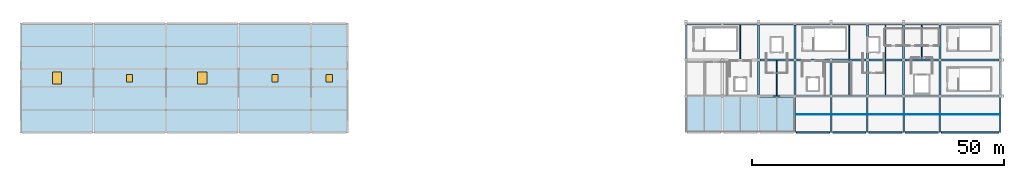
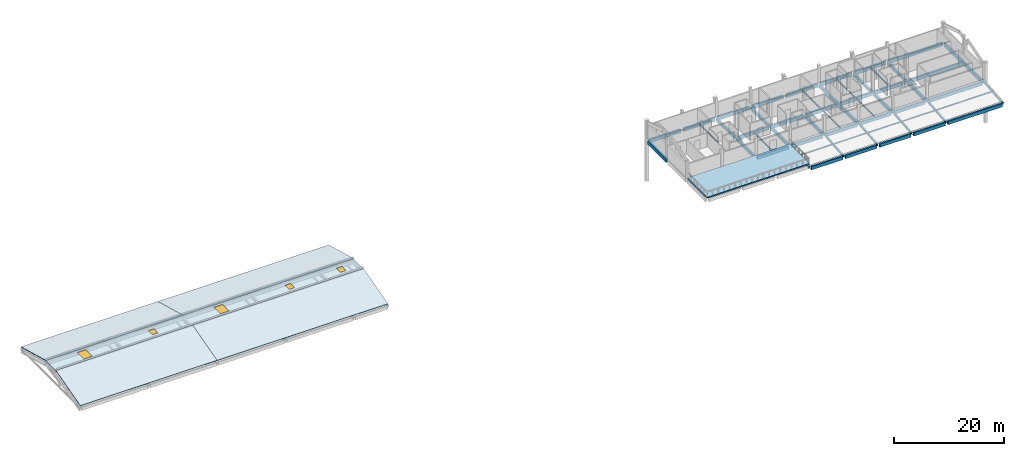
# One storey, part 3 of 8: 52 beams, 6 slabs, 5 members, 5 windows, 5 openings.
"""IFC4 building model written with IfcOpenShell, lengths in metres."""

import ifcopenshell
import ifcopenshell.guid

model = None  # the IFC model being written
_history = None  # IfcOwnerHistory: only IFC2X3 demands one
_inside = {}  # id of a spatial element -> (the spatial element, [elements in it])
_under = {}  # id of a project, library or spatial element -> (it, [spatial elements below it])
_declared = {}  # id of a project -> (the project, [libraries it declares])
_typed = {}  # id of a type object -> (the type object, [elements of that type])
_made_of = {}  # id of a material, layer set ... -> (it, [elements and type objects made of it])


def new_model(schema):
    """Start an empty IFC model of exactly this schema.

    Asked for "IFC4X3", IfcOpenShell would pick the latest addendum, in which some entities
    have other attributes; the version numbers below select the first issue.
    IFC2X3 requires an IfcOwnerHistory on every rooted entity: one is made here for all.
    """
    global model, _history
    if schema == "IFC4X3":
        model = ifcopenshell.file(schema_version=(4, 3, 0, 0))
    else:
        model = ifcopenshell.file(schema=schema)
    _inside.clear()
    _under.clear()
    _declared.clear()
    _typed.clear()
    _made_of.clear()
    _history = None
    if model.schema == "IFC2X3":
        org = make("IfcOrganization", Name="unknown")
        user = make(
            "IfcPersonAndOrganization",
            ThePerson=make("IfcPerson", FamilyName="unknown"),
            TheOrganization=org,
        )
        app = make(
            "IfcApplication",
            ApplicationDeveloper=org,
            Version="unknown",
            ApplicationFullName="unknown",
            ApplicationIdentifier="unknown",
        )
        _history = make(
            "IfcOwnerHistory",
            OwningUser=user,
            OwningApplication=app,
            ChangeAction="ADDED",
            CreationDate=0,
        )
    return model


def make(cls, **values):
    """One entity of the class cls with the attributes given. An attribute that is None is left unset."""
    return model.create_entity(
        cls, **{name: value for name, value in values.items() if value is not None}
    )


def rooted(cls, **values):
    """An entity with a GlobalId (a new one), such as an element, a storey or a relation."""
    return make(cls, GlobalId=ifcopenshell.guid.new(), OwnerHistory=_history, **values)


def si_unit(unit_type, name, prefix=None):
    """IfcSIUnit, for example si_unit("LENGTHUNIT", "METRE", prefix="MILLI")."""
    return make("IfcSIUnit", UnitType=unit_type, Prefix=prefix, Name=name)


def assignment(units):
    """IfcUnitAssignment: the units of a project."""
    return None if units is None else make("IfcUnitAssignment", Units=units)


def point(xyz):
    """IfcCartesianPoint."""
    return None if xyz is None else make("IfcCartesianPoint", Coordinates=xyz)


def direction(xyz):
    """IfcDirection."""
    return None if xyz is None else make("IfcDirection", DirectionRatios=xyz)


def frame(location, z_axis=None, x_axis=None):
    """IfcAxis2Placement3D, a coordinate frame: its origin and axes. An axis left out is left unset."""
    return make(
        "IfcAxis2Placement3D",
        Location=point(location),
        Axis=direction(z_axis),
        RefDirection=direction(x_axis),
    )


def frame_2d(location, x_axis=None):
    """IfcAxis2Placement2D, a coordinate frame in the plane: its origin and x axis."""
    return make(
        "IfcAxis2Placement2D", Location=point(location), RefDirection=direction(x_axis)
    )


def origin():
    """The frame at (0, 0, 0) with its axes left unset."""
    return frame((0.0, 0.0, 0.0))


def origin_2d():
    """The frame at (0, 0) in the plane with its x axis left unset."""
    return frame_2d((0.0, 0.0))


def place(relative_to, where):
    """IfcLocalPlacement: puts the frame where relative to a parent placement (None: the world)."""
    return make(
        "IfcLocalPlacement", PlacementRelTo=relative_to, RelativePlacement=where
    )


def context(
    kind, dimensions, precision=None, world=None, true_north=None, identifier=None
):
    """IfcGeometricRepresentationContext, for example the 3D "Model" context."""
    return make(
        "IfcGeometricRepresentationContext",
        ContextIdentifier=identifier,
        ContextType=kind,
        CoordinateSpaceDimension=dimensions,
        Precision=precision,
        WorldCoordinateSystem=world,
        TrueNorth=true_north,
    )


def subcontext(parent, identifier, kind, view, scale=None):
    """IfcGeometricRepresentationSubContext, for example "Body" below "Model"."""
    return make(
        "IfcGeometricRepresentationSubContext",
        ContextIdentifier=identifier,
        ContextType=kind,
        ParentContext=parent,
        TargetScale=scale,
        TargetView=view,
    )


def project(units=None, contexts=None):
    """IfcProject with its units and contexts."""
    return rooted(
        "IfcProject",
        Name="project",
        RepresentationContexts=contexts,
        UnitsInContext=assignment(units),
    )


def spatial(cls, under=None, at=None, **own):
    """A site, building, storey or space (cls), placed at a placement, below another one or the project."""
    s = rooted(cls, ObjectPlacement=at, **own)
    if under is not None:
        _under.setdefault(under.id(), (under, []))[1].append(s)
    return s


def polyline(points):
    """IfcPolyline through the points."""
    return make("IfcPolyline", Points=[point(p) for p in points])


def profile(cls, at=None, kind="AREA", **sizes):
    """A parametric profile (cls). Its sizes go by their IFC names, for example OverallWidth=200.0."""
    return make(cls, ProfileType=kind, Position=at, **sizes)


def rectangle(**sizes):
    """IfcRectangleProfileDef."""
    return profile("IfcRectangleProfileDef", **sizes)


def i_section(**sizes):
    """IfcIShapeProfileDef."""
    return profile("IfcIShapeProfileDef", **sizes)


def outline(outer, holes=None, kind="AREA"):
    """IfcArbitraryClosedProfileDef: a profile drawn as a closed curve; with holes, ...WithVoids."""
    if holes is None:
        return make("IfcArbitraryClosedProfileDef", ProfileType=kind, OuterCurve=outer)
    return make(
        "IfcArbitraryProfileDefWithVoids",
        ProfileType=kind,
        OuterCurve=outer,
        InnerCurves=holes,
    )


def extrude(swept, where, along, depth):
    """IfcExtrudedAreaSolid: the profile swept, set in the frame where, extruded along a direction by depth."""
    return make(
        "IfcExtrudedAreaSolid",
        SweptArea=swept,
        Position=where,
        ExtrudedDirection=direction(along),
        Depth=depth,
    )


def shape(context_of_items, identifier, shape_type, items):
    """IfcShapeRepresentation: the items that make up one representation, for example the "Body"."""
    return make(
        "IfcShapeRepresentation",
        ContextOfItems=context_of_items,
        RepresentationIdentifier=identifier,
        RepresentationType=shape_type,
        Items=items,
    )


def material(Name=None, Category=None):
    """IfcMaterial."""
    return make("IfcMaterial", Name=Name, Category=Category)


def layer(
    of_material, thickness, ventilated=None, Name=None, Category=None, Priority=None
):
    """IfcMaterialLayer: one layer of a wall or slab, of a material (None: an air gap)."""
    return make(
        "IfcMaterialLayer",
        Material=of_material,
        LayerThickness=thickness,
        IsVentilated=ventilated,
        Name=Name,
        Category=Category,
        Priority=Priority,
    )


def layer_set(layers, Name=None):
    """IfcMaterialLayerSet."""
    return make("IfcMaterialLayerSet", MaterialLayers=layers, LayerSetName=Name)


def material_profile(
    of_material, cross_section, Name=None, Category=None, Priority=None
):
    """IfcMaterialProfile: a cross section and its material."""
    return make(
        "IfcMaterialProfile",
        Name=Name,
        Material=of_material,
        Profile=cross_section,
        Priority=Priority,
        Category=Category,
    )


def profile_set(profiles, Name=None, composite=None):
    """IfcMaterialProfileSet."""
    return make(
        "IfcMaterialProfileSet",
        Name=Name,
        MaterialProfiles=profiles,
        CompositeProfile=composite,
    )


def made_of(thing, what):
    """Note that an element or type object is made of a material, layer set ...; save() writes the relation."""
    if what is not None:
        _made_of.setdefault(what.id(), (what, []))[1].append(thing)
    return thing


def type_object(cls, material=None, **own):
    """A type object (cls), such as IfcWallType, which elements share."""
    return made_of(rooted(cls, **own), material)


def element(
    cls,
    number,
    at=None,
    inside=None,
    cuts=None,
    type_object=None,
    material=None,
    context=None,
    identifier="Body",
    shape_type=None,
    held_by="IfcProductDefinitionShape",
    body=None,
    shapes=None,
    **own,
):
    """One element of the class cls, such as IfcWall. Its Tag is "e" and its number.

    at: its placement. inside: the storey or other place that contains it. cuts: it is an
    opening in that element (IfcRelVoidsElement). A single representation is given by context,
    identifier, shape_type and body (its items); several are given by shapes. held_by: the class
    of the entity that holds the representations. save() writes the other relations.
    """
    e = rooted(cls, Tag="e%d" % number, ObjectPlacement=at, **own)
    if body is not None:
        shapes = [shape(context, identifier, shape_type, body)]
    if shapes is not None:
        e.Representation = make(held_by, Representations=shapes)
    if inside is not None:
        _inside.setdefault(inside.id(), (inside, []))[1].append(e)
    if cuts is not None:
        rooted(
            "IfcRelVoidsElement", RelatingBuildingElement=cuts, RelatedOpeningElement=e
        )
    if type_object is not None:
        _typed.setdefault(type_object.id(), (type_object, []))[1].append(e)
    return made_of(e, material)


def fill(opening, filler):
    """IfcRelFillsElement: the door or window that sits in an opening."""
    return rooted(
        "IfcRelFillsElement",
        RelatingOpeningElement=opening,
        RelatedBuildingElement=filler,
    )


def aggregate(whole, parts):
    """IfcRelAggregates: a whole, such as a stair, and the parts it consists of."""
    return rooted("IfcRelAggregates", RelatingObject=whole, RelatedObjects=parts)


def save(model, path):
    """Write the relations noted so far, then the file.

    IfcRelAggregates (storeys below a building ...), IfcRelContainedInSpatialStructure (elements
    in a storey), IfcRelDefinesByType, IfcRelAssociatesMaterial and IfcRelDeclares: one each for
    every whole, place, type object, material and project.
    """
    for whole, parts in _under.values():
        aggregate(whole, parts)
    for where, things in _inside.values():
        rooted(
            "IfcRelContainedInSpatialStructure",
            RelatedElements=things,
            RelatingStructure=where,
        )
    for kind, things in _typed.values():
        rooted("IfcRelDefinesByType", RelatedObjects=things, RelatingType=kind)
    for what, things in _made_of.values():
        rooted("IfcRelAssociatesMaterial", RelatedObjects=things, RelatingMaterial=what)
    for by, libraries in _declared.values():
        rooted("IfcRelDeclares", RelatingContext=by, RelatedDefinitions=libraries)
    model.write(path)


model = new_model("IFC4")

# Units and contexts
model_context = context("Model", 3, precision=1e-05, world=origin(), true_north=direction((0.0, 1.0)))
body_context = subcontext(model_context, "Body", "Model", "MODEL_VIEW")
ifc_project = project(units=[si_unit("LENGTHUNIT", "METRE"), si_unit("AREAUNIT", "SQUARE_METRE"), si_unit("VOLUMEUNIT", "CUBIC_METRE"), si_unit("PLANEANGLEUNIT", "RADIAN"), si_unit("MASSUNIT", "GRAM", prefix="KILO")], contexts=[model_context])

# Site, building, storey
site_placement = place(None, origin())
site = spatial("IfcSite", under=ifc_project, at=site_placement, CompositionType="ELEMENT")
building_placement = place(site_placement, origin())
building = spatial("IfcBuilding", under=site, at=building_placement, Name="Cendralis Lancet Convention Centre", CompositionType="ELEMENT")
storey_placement = place(building_placement, frame((0.0, 0.0, 24.60009765625)))
storey = spatial("IfcBuildingStorey", under=building, at=storey_placement, Name="L05", CompositionType="ELEMENT", Elevation=24.60009765625)

# Beams
ifc_material_1 = material(Name="Concrete G35 (C35/45)", Category="concrete")
ifc_material_profile_1 = material_profile(ifc_material_1, rectangle(XDim=0.39990234375, YDim=0.75, at=origin_2d()), Name="RCB 400x750")
ifc_profile_set_1 = profile_set([ifc_material_profile_1], Name="Concrete G35 (C35/45)")
beam_type_1 = type_object("IfcBeamType", Name="STR-BM-BG12", PredefinedType="BEAM", material=ifc_profile_set_1)
for number, where, z_axis, x_axis, name in (
    (1, (161.10009765625, 21.60009765625, -0.625), (1.0, 0.0, 0.0), (0.0, 1.0, 0.0), "L05 Beam BG12 #0604"),
    (2, (168.300048828125, 21.60009765625, -0.625), (1.0, 0.0, 0.0), (0.0, 1.0, 0.0), "L05 Beam BG12 #0605"),
):
    element("IfcBeam", number, at=place(storey_placement, frame(where, z_axis=z_axis, x_axis=x_axis)), inside=storey, type_object=beam_type_1, Name=name, PredefinedType="BEAM", context=body_context, shape_type="SweptSolid", body=[
        extrude(rectangle(XDim=0.39990234375, YDim=0.75, at=origin_2d()), origin(), (0.0, 0.0, 1.0), 6.599853515625),
    ])
for number, where, z_axis, x_axis, name in (
    (3, (175.5, 21.60009765625, -0.625), (1.0, 0.0, 0.0), (0.0, 1.0, 0.0), "L05 Beam BG12 #0606"),
    (4, (182.699951171875, 21.60009765625, -0.625), (1.0, 0.0, 0.0), (0.0, 1.0, 0.0), "L05 Beam BG12 #0607"),
    (5, (189.89990234375, 21.60009765625, -0.625), (1.0, 0.0, 0.0), (0.0, 1.0, 0.0), "L05 Beam BG12 #0608"),
):
    element("IfcBeam", number, at=place(storey_placement, frame(where, z_axis=z_axis, x_axis=x_axis)), inside=storey, type_object=beam_type_1, Name=name, PredefinedType="BEAM", context=body_context, shape_type="SweptSolid", body=[
        extrude(rectangle(XDim=0.39990234375, YDim=0.75, at=origin_2d()), origin(), (0.0, 0.0, 1.0), 6.60009765625),
    ])
beam_1_placement = place(storey_placement, frame((197.10009765625, 21.60009765625, -0.625), z_axis=(1.0, 0.0, 0.0), x_axis=(0.0, 1.0, 0.0)))
element("IfcBeam", 6, at=beam_1_placement, inside=storey, type_object=beam_type_1, Name="L05 Beam BG12 #0609", PredefinedType="BEAM", context=body_context, shape_type="SweptSolid", body=[
    extrude(rectangle(XDim=0.39990234375, YDim=0.75, at=origin_2d()), origin(), (0.0, 0.0, 1.0), 11.39990234375),
])
for number, where, z_axis, x_axis, name in (
    (7, (161.10009765625, 28.800048828125, -0.625), (1.0, 0.0, 0.0), (0.0, 1.0, 0.0), "L05 Beam BG12 #0612"),
    (8, (168.300048828125, 28.800048828125, -0.625), (1.0, 0.0, 0.0), (0.0, 1.0, 0.0), "L05 Beam BG12 #0613"),
):
    element("IfcBeam", number, at=place(storey_placement, frame(where, z_axis=z_axis, x_axis=x_axis)), inside=storey, type_object=beam_type_1, Name=name, PredefinedType="BEAM", context=body_context, shape_type="SweptSolid", body=[
        extrude(rectangle(XDim=0.39990234375, YDim=0.75, at=origin_2d()), origin(), (0.0, 0.0, 1.0), 6.599853515625),
    ])
for number, where, z_axis, x_axis, name in (
    (9, (175.5, 28.800048828125, -0.625), (1.0, 0.0, 0.0), (0.0, 1.0, 0.0), "L05 Beam BG12 #0614"),
    (10, (182.699951171875, 28.800048828125, -0.625), (1.0, 0.0, 0.0), (0.0, 1.0, 0.0), "L05 Beam BG12 #0615"),
    (11, (189.89990234375, 28.800048828125, -0.625), (1.0, 0.0, 0.0), (0.0, 1.0, 0.0), "L05 Beam BG12 #0616"),
):
    element("IfcBeam", number, at=place(storey_placement, frame(where, z_axis=z_axis, x_axis=x_axis)), inside=storey, type_object=beam_type_1, Name=name, PredefinedType="BEAM", context=body_context, shape_type="SweptSolid", body=[
        extrude(rectangle(XDim=0.39990234375, YDim=0.75, at=origin_2d()), origin(), (0.0, 0.0, 1.0), 6.60009765625),
    ])
beam_2_placement = place(storey_placement, frame((197.10009765625, 28.800048828125, -0.625), z_axis=(1.0, 0.0, 0.0), x_axis=(0.0, 1.0, 0.0)))
element("IfcBeam", 12, at=beam_2_placement, inside=storey, type_object=beam_type_1, Name="L05 Beam BG12 #0617", PredefinedType="BEAM", context=body_context, shape_type="SweptSolid", body=[
    extrude(rectangle(XDim=0.39990234375, YDim=0.75, at=origin_2d()), origin(), (0.0, 0.0, 1.0), 11.39990234375),
])
ifc_material_profile_2 = material_profile(ifc_material_1, rectangle(XDim=0.39990234375, YDim=0.64990234375, at=origin_2d()), Name="RCB 400x650")
ifc_profile_set_2 = profile_set([ifc_material_profile_2], Name="Concrete G35 (C35/45)")
beam_type_2 = type_object("IfcBeamType", Name="STR-BM-BG14", PredefinedType="BEAM", material=ifc_profile_set_2)
beam_3_placement = place(storey_placement, frame((160.800048828125, 21.89990234375, -0.5751953125), z_axis=(0.0, 1.0, 0.0), x_axis=(-1.0, 0.0, 0.0)))
element("IfcBeam", 13, at=beam_3_placement, inside=storey, type_object=beam_type_2, Name="L05 Beam BG14 #0632", PredefinedType="BEAM", context=body_context, shape_type="SweptSolid", body=[
    extrude(rectangle(XDim=0.39990234375, YDim=0.64990234375, at=origin_2d()), origin(), (0.0, 0.0, 1.0), 6.60009765625),
])
beam_4_placement = place(storey_placement, frame((160.800048828125, 29.10009765625, -0.5751953125), z_axis=(0.0, 1.0, 0.0), x_axis=(-1.0, 0.0, 0.0)))
element("IfcBeam", 14, at=beam_4_placement, inside=storey, type_object=beam_type_2, Name="L05 Beam BG14 #0633", PredefinedType="BEAM", context=body_context, shape_type="SweptSolid", body=[
    extrude(rectangle(XDim=0.39990234375, YDim=0.64990234375, at=origin_2d()), origin(), (0.0, 0.0, 1.0), 6.599853515625),
])
beam_5_placement = place(storey_placement, frame((168.0, 21.89990234375, -0.5751953125), z_axis=(0.0, 1.0, 0.0), x_axis=(-1.0, 0.0, 0.0)))
element("IfcBeam", 15, at=beam_5_placement, inside=storey, type_object=beam_type_2, Name="L05 Beam BG14 #0634", PredefinedType="BEAM", context=body_context, shape_type="SweptSolid", body=[
    extrude(rectangle(XDim=0.39990234375, YDim=0.64990234375, at=origin_2d()), origin(), (0.0, 0.0, 1.0), 6.60009765625),
])
beam_6_placement = place(storey_placement, frame((168.0, 29.10009765625, -0.5751953125), z_axis=(0.0, 1.0, 0.0), x_axis=(-1.0, 0.0, 0.0)))
element("IfcBeam", 16, at=beam_6_placement, inside=storey, type_object=beam_type_2, Name="L05 Beam BG14 #0635", PredefinedType="BEAM", context=body_context, shape_type="SweptSolid", body=[
    extrude(rectangle(XDim=0.39990234375, YDim=0.64990234375, at=origin_2d()), origin(), (0.0, 0.0, 1.0), 6.599853515625),
])
for number, where, z_axis, x_axis, name in (
    (17, (175.199951171875, 21.89990234375, -0.5751953125), (0.0, 1.0, 0.0), (-1.0, 0.0, 0.0), "L05 Beam BG14 #0636"),
    (18, (182.39990234375, 21.89990234375, -0.5751953125), (0.0, 1.0, 0.0), (-1.0, 0.0, 0.0), "L05 Beam BG14 #0637"),
):
    element("IfcBeam", number, at=place(storey_placement, frame(where, z_axis=z_axis, x_axis=x_axis)), inside=storey, type_object=beam_type_2, Name=name, PredefinedType="BEAM", context=body_context, shape_type="SweptSolid", body=[
        extrude(rectangle(XDim=0.39990234375, YDim=0.64990234375, at=origin_2d()), origin(), (0.0, 0.0, 1.0), 6.60009765625),
    ])
beam_7_placement = place(storey_placement, frame((182.39990234375, 29.10009765625, -0.5751953125), z_axis=(0.0, 1.0, 0.0), x_axis=(-1.0, 0.0, 0.0)))
element("IfcBeam", 19, at=beam_7_placement, inside=storey, type_object=beam_type_2, Name="L05 Beam BG14 #0638", PredefinedType="BEAM", context=body_context, shape_type="SweptSolid", body=[
    extrude(rectangle(XDim=0.39990234375, YDim=0.64990234375, at=origin_2d()), origin(), (0.0, 0.0, 1.0), 6.599853515625),
])
beam_8_placement = place(storey_placement, frame((189.60009765625, 21.89990234375, -0.5751953125), z_axis=(0.0, 1.0, 0.0), x_axis=(-1.0, 0.0, 0.0)))
element("IfcBeam", 20, at=beam_8_placement, inside=storey, type_object=beam_type_2, Name="L05 Beam BG14 #0639", PredefinedType="BEAM", context=body_context, shape_type="SweptSolid", body=[
    extrude(rectangle(XDim=0.39990234375, YDim=0.64990234375, at=origin_2d()), origin(), (0.0, 0.0, 1.0), 6.60009765625),
])
beam_9_placement = place(storey_placement, frame((189.60009765625, 29.10009765625, -0.5751953125), z_axis=(0.0, 1.0, 0.0), x_axis=(-1.0, 0.0, 0.0)))
element("IfcBeam", 21, at=beam_9_placement, inside=storey, type_object=beam_type_2, Name="L05 Beam BG14 #0640", PredefinedType="BEAM", context=body_context, shape_type="SweptSolid", body=[
    extrude(rectangle(XDim=0.39990234375, YDim=0.64990234375, at=origin_2d()), origin(), (0.0, 0.0, 1.0), 6.599853515625),
])
beam_10_placement = place(storey_placement, frame((196.800048828125, 21.89990234375, -0.5751953125), z_axis=(0.0, 1.0, 0.0), x_axis=(-1.0, 0.0, 0.0)))
element("IfcBeam", 22, at=beam_10_placement, inside=storey, type_object=beam_type_2, Name="L05 Beam BG14 #0641", PredefinedType="BEAM", context=body_context, shape_type="SweptSolid", body=[
    extrude(rectangle(XDim=0.39990234375, YDim=0.64990234375, at=origin_2d()), origin(), (0.0, 0.0, 1.0), 6.60009765625),
])
beam_11_placement = place(storey_placement, frame((196.800048828125, 29.10009765625, -0.5751953125), z_axis=(0.0, 1.0, 0.0), x_axis=(-1.0, 0.0, 0.0)))
element("IfcBeam", 23, at=beam_11_placement, inside=storey, type_object=beam_type_2, Name="L05 Beam BG14 #0642", PredefinedType="BEAM", context=body_context, shape_type="SweptSolid", body=[
    extrude(rectangle(XDim=0.39990234375, YDim=0.64990234375, at=origin_2d()), origin(), (0.0, 0.0, 1.0), 6.599853515625),
])
ifc_material_2 = material(Name="Steel S355", Category="steel")
ifc_material_profile_3 = material_profile(ifc_material_2, i_section(OverallWidth=0.300048828125, OverallDepth=0.389892578125, WebThickness=0.010986328125, FlangeThickness=0.01904296875, FilletRadius=0.027099609375, at=origin_2d()), Name="HEA 400")
ifc_profile_set_3 = profile_set([ifc_material_profile_3], Name="Steel S355")
beam_type_3 = type_object("IfcBeamType", Name="STR-BM-SG14", PredefinedType="BEAM", material=ifc_profile_set_3)
for number, where, z_axis, x_axis, name in (
    (24, (175.199951171875, 14.39990234375, -0.945068359375), (0.0, 0.995951130252, 0.089896307769), (-1.0, 0.0, 0.0), "V5 Dining Sloped Apron Rafter SG14 #02"),
    (25, (182.39990234375, 14.39990234375, -0.945068359375), (0.0, 0.995951130252, 0.089896307769), (-1.0, 0.0, 0.0), "V5 Dining Sloped Apron Rafter SG14 #03"),
    (26, (189.60009765625, 14.39990234375, -0.945068359375), (0.0, 0.995951130252, 0.089896307769), (-1.0, 0.0, 0.0), "V5 Dining Sloped Apron Rafter SG14 #04"),
    (27, (196.800048828125, 14.39990234375, -0.945068359375), (0.0, 0.995951130252, 0.089896307769), (-1.0, 0.0, 0.0), "V5 Dining Sloped Apron Rafter SG14 #05"),
):
    element("IfcBeam", number, at=place(storey_placement, frame(where, z_axis=z_axis, x_axis=x_axis)), inside=storey, type_object=beam_type_3, Name=name, PredefinedType="BEAM", context=body_context, shape_type="SweptSolid", body=[
        extrude(i_section(OverallWidth=0.300048828125, OverallDepth=0.389892578125, WebThickness=0.010986328125, FlangeThickness=0.01904296875, FilletRadius=0.027099609375, at=origin_2d()), origin(), (0.0, 0.0, 1.0), 7.2294921875),
    ])
ifc_material_profile_4 = material_profile(ifc_material_2, i_section(OverallWidth=0.300048828125, OverallDepth=0.389892578125, WebThickness=0.010986328125, FlangeThickness=0.01904296875, FilletRadius=0.027099609375, at=origin_2d()), Name="HEA 400")
ifc_profile_set_4 = profile_set([ifc_material_profile_4], Name="Steel S355")
beam_type_4 = type_object("IfcBeamType", Name="STR-BM-SG14-EXT", PredefinedType="BEAM", material=ifc_profile_set_4)
for number, where, z_axis, x_axis, name in (
    (28, (168.0, 14.39990234375, -0.945068359375), (0.0, 0.995951130252, 0.089896307769), (-1.0, 0.0, 0.0), "V5 Dining Sloped Apron Rafter SG14 #01"),
    (29, (208.800048828125, 14.39990234375, -0.945068359375), (0.0, 0.995951130252, 0.089896307769), (-1.0, 0.0, 0.0), "V5 Dining Sloped Apron Rafter SG14 #06"),
):
    element("IfcBeam", number, at=place(storey_placement, frame(where, z_axis=z_axis, x_axis=x_axis)), inside=storey, type_object=beam_type_4, Name=name, PredefinedType="BEAM", context=body_context, shape_type="SweptSolid", body=[
        extrude(i_section(OverallWidth=0.300048828125, OverallDepth=0.389892578125, WebThickness=0.010986328125, FlangeThickness=0.01904296875, FilletRadius=0.027099609375, at=origin_2d()), origin(), (0.0, 0.0, 1.0), 7.2294921875),
    ])
ifc_material_profile_5 = material_profile(ifc_material_2, i_section(OverallWidth=0.159912109375, OverallDepth=0.330078125, WebThickness=0.007568359375, FlangeThickness=0.011474609375, FilletRadius=0.01806640625, at=origin_2d()), Name="IPE 330")
ifc_profile_set_5 = profile_set([ifc_material_profile_5], Name="Steel S355")
beam_type_5 = type_object("IfcBeamType", Name="STR-JS-BJ10", PredefinedType="JOIST", material=ifc_profile_set_5)
beam_12_placement = place(storey_placement, frame((157.199951171875, 29.0, -0.4150390625), z_axis=(0.0, 1.0, 0.0), x_axis=(-1.0, 0.0, 0.0)))
element("IfcBeam", 30, at=beam_12_placement, inside=storey, type_object=beam_type_5, Name="L05 Beam BJ10 #0648", PredefinedType="JOIST", context=body_context, shape_type="SweptSolid", body=[
    extrude(i_section(OverallWidth=0.159912109375, OverallDepth=0.330078125, WebThickness=0.007568359375, FlangeThickness=0.011474609375, FilletRadius=0.01806640625, at=origin_2d()), origin(), (0.0, 0.0, 1.0), 6.824951171875),
])
for number, where, z_axis, x_axis, name in (
    (31, (164.39990234375, 21.800048828125, -0.4150390625), (0.0, 1.0, 0.0), (-1.0, 0.0, 0.0), "L05 Beam BJ10 #0650"),
    (32, (178.800048828125, 21.800048828125, -0.4150390625), (0.0, 1.0, 0.0), (-1.0, 0.0, 0.0), "L05 Beam BJ10 #0651"),
):
    element("IfcBeam", number, at=place(storey_placement, frame(where, z_axis=z_axis, x_axis=x_axis)), inside=storey, type_object=beam_type_5, Name=name, PredefinedType="JOIST", context=body_context, shape_type="SweptSolid", body=[
        extrude(i_section(OverallWidth=0.159912109375, OverallDepth=0.330078125, WebThickness=0.007568359375, FlangeThickness=0.011474609375, FilletRadius=0.01806640625, at=origin_2d()), origin(), (0.0, 0.0, 1.0), 6.800048828125),
    ])
beam_13_placement = place(storey_placement, frame((178.800048828125, 29.0, -0.4150390625), z_axis=(0.0, 1.0, 0.0), x_axis=(-1.0, 0.0, 0.0)))
element("IfcBeam", 33, at=beam_13_placement, inside=storey, type_object=beam_type_5, Name="L05 Beam BJ10 #0652", PredefinedType="JOIST", context=body_context, shape_type="SweptSolid", body=[
    extrude(i_section(OverallWidth=0.159912109375, OverallDepth=0.330078125, WebThickness=0.007568359375, FlangeThickness=0.011474609375, FilletRadius=0.01806640625, at=origin_2d()), origin(), (0.0, 0.0, 1.0), 6.824951171875),
])
beam_14_placement = place(storey_placement, frame((186.0, 21.800048828125, -0.4150390625), z_axis=(0.0, 1.0, 0.0), x_axis=(-1.0, 0.0, 0.0)))
element("IfcBeam", 34, at=beam_14_placement, inside=storey, type_object=beam_type_5, Name="L05 Beam BJ10 #0653", PredefinedType="JOIST", context=body_context, shape_type="SweptSolid", body=[
    extrude(i_section(OverallWidth=0.159912109375, OverallDepth=0.330078125, WebThickness=0.007568359375, FlangeThickness=0.011474609375, FilletRadius=0.01806640625, at=origin_2d()), origin(), (0.0, 0.0, 1.0), 6.800048828125),
])
for number, where, z_axis, x_axis, name in (
    (35, (186.0, 29.0, -0.4150390625), (0.0, 1.0, 0.0), (-1.0, 0.0, 0.0), "L05 Beam BJ10 #0654"),
    (36, (193.199951171875, 29.0, -0.4150390625), (0.0, 1.0, 0.0), (-1.0, 0.0, 0.0), "L05 Beam BJ10 #0655"),
):
    element("IfcBeam", number, at=place(storey_placement, frame(where, z_axis=z_axis, x_axis=x_axis)), inside=storey, type_object=beam_type_5, Name=name, PredefinedType="JOIST", context=body_context, shape_type="SweptSolid", body=[
        extrude(i_section(OverallWidth=0.159912109375, OverallDepth=0.330078125, WebThickness=0.007568359375, FlangeThickness=0.011474609375, FilletRadius=0.01806640625, at=origin_2d()), origin(), (0.0, 0.0, 1.0), 6.824951171875),
    ])

# Members
ifc_material_profile_6 = material_profile(ifc_material_2, i_section(OverallWidth=0.10009765625, OverallDepth=0.199951171875, WebThickness=0.005615234375, FlangeThickness=0.008544921875, FilletRadius=0.011962890625, at=origin_2d()), Name="IPE 200")
ifc_profile_set_6 = profile_set([ifc_material_profile_6], Name="Steel S355")
member_type = type_object("IfcMemberType", Name="STR-PR-PR05", PredefinedType="PURLIN", material=ifc_profile_set_6)
for number, where, z_axis, x_axis, name in (
    (37, (168.0, 18.0, -0.364990234375), (1.0, 0.0, 0.0), (0.0, 1.0, 0.0), "V5 Dining Apron Purlin PR05 168-18.0"),
    (38, (175.199951171875, 18.0, -0.364990234375), (1.0, 0.0, 0.0), (0.0, 1.0, 0.0), "V5 Dining Apron Purlin PR05 175-18.0"),
):
    element("IfcMember", number, at=place(storey_placement, frame(where, z_axis=z_axis, x_axis=x_axis)), inside=storey, type_object=member_type, Name=name, PredefinedType="PURLIN", context=body_context, shape_type="SweptSolid", body=[
        extrude(i_section(OverallWidth=0.10009765625, OverallDepth=0.199951171875, WebThickness=0.005615234375, FlangeThickness=0.008544921875, FilletRadius=0.011962890625, at=origin_2d()), origin(), (0.0, 0.0, 1.0), 7.199951171875),
    ])
member_1_placement = place(storey_placement, frame((182.39990234375, 18.0, -0.364990234375), z_axis=(1.0, 0.0, 0.0), x_axis=(0.0, 1.0, 0.0)))
element("IfcMember", 39, at=member_1_placement, inside=storey, type_object=member_type, Name="V5 Dining Apron Purlin PR05 182-18.0", PredefinedType="PURLIN", context=body_context, shape_type="SweptSolid", body=[
    extrude(i_section(OverallWidth=0.10009765625, OverallDepth=0.199951171875, WebThickness=0.005615234375, FlangeThickness=0.008544921875, FilletRadius=0.011962890625, at=origin_2d()), origin(), (0.0, 0.0, 1.0), 7.2001953125),
])
member_2_placement = place(storey_placement, frame((189.60009765625, 18.0, -0.364990234375), z_axis=(1.0, 0.0, 0.0), x_axis=(0.0, 1.0, 0.0)))
element("IfcMember", 40, at=member_2_placement, inside=storey, type_object=member_type, Name="V5 Dining Apron Purlin PR05 190-18.0", PredefinedType="PURLIN", context=body_context, shape_type="SweptSolid", body=[
    extrude(i_section(OverallWidth=0.10009765625, OverallDepth=0.199951171875, WebThickness=0.005615234375, FlangeThickness=0.008544921875, FilletRadius=0.011962890625, at=origin_2d()), origin(), (0.0, 0.0, 1.0), 7.199951171875),
])
member_3_placement = place(storey_placement, frame((196.800048828125, 18.0, -0.364990234375), z_axis=(1.0, 0.0, 0.0), x_axis=(0.0, 1.0, 0.0)))
element("IfcMember", 41, at=member_3_placement, inside=storey, type_object=member_type, Name="V5 Dining Apron Purlin PR05 197-18.0", PredefinedType="PURLIN", context=body_context, shape_type="SweptSolid", body=[
    extrude(i_section(OverallWidth=0.10009765625, OverallDepth=0.199951171875, WebThickness=0.005615234375, FlangeThickness=0.008544921875, FilletRadius=0.011962890625, at=origin_2d()), origin(), (0.0, 0.0, 1.0), 12.0),
])

# Beams
ifc_material_3 = material(Name="Concrete G40 (C40/50)", Category="concrete")
ifc_material_profile_7 = material_profile(ifc_material_3, rectangle(XDim=0.35009765625, YDim=0.75, at=origin_2d()), Name="RCB 350x750")
ifc_profile_set_7 = profile_set([ifc_material_profile_7], Name="Concrete G40 (C40/50)")
beam_type_6 = type_object("IfcBeamType", Name="STR-SP-SP01", PredefinedType="SPANDREL", material=ifc_profile_set_7)
for number, where, z_axis, x_axis, name in (
    (42, (146.699951171875, 36.0, -0.625), (1.0, 0.0, 0.0), (0.0, 1.0, 0.0), "L05 Beam SP01 #0618"),
    (43, (153.89990234375, 36.0, -0.625), (1.0, 0.0, 0.0), (0.0, 1.0, 0.0), "L05 Beam SP01 #0619"),
):
    element("IfcBeam", number, at=place(storey_placement, frame(where, z_axis=z_axis, x_axis=x_axis)), inside=storey, type_object=beam_type_6, Name=name, PredefinedType="SPANDREL", context=body_context, shape_type="SweptSolid", body=[
        extrude(rectangle(XDim=0.35009765625, YDim=0.75, at=origin_2d()), origin(), (0.0, 0.0, 1.0), 6.60009765625),
    ])
for number, where, z_axis, x_axis, name in (
    (44, (161.10009765625, 36.0, -0.625), (1.0, 0.0, 0.0), (0.0, 1.0, 0.0), "L05 Beam SP01 #0620"),
    (45, (168.300048828125, 36.0, -0.625), (1.0, 0.0, 0.0), (0.0, 1.0, 0.0), "L05 Beam SP01 #0621"),
):
    element("IfcBeam", number, at=place(storey_placement, frame(where, z_axis=z_axis, x_axis=x_axis)), inside=storey, type_object=beam_type_6, Name=name, PredefinedType="SPANDREL", context=body_context, shape_type="SweptSolid", body=[
        extrude(rectangle(XDim=0.35009765625, YDim=0.75, at=origin_2d()), origin(), (0.0, 0.0, 1.0), 6.599853515625),
    ])
for number, where, z_axis, x_axis, name in (
    (46, (175.5, 36.0, -0.625), (1.0, 0.0, 0.0), (0.0, 1.0, 0.0), "L05 Beam SP01 #0622"),
    (47, (182.699951171875, 36.0, -0.625), (1.0, 0.0, 0.0), (0.0, 1.0, 0.0), "L05 Beam SP01 #0623"),
    (48, (189.89990234375, 36.0, -0.625), (1.0, 0.0, 0.0), (0.0, 1.0, 0.0), "L05 Beam SP01 #0624"),
):
    element("IfcBeam", number, at=place(storey_placement, frame(where, z_axis=z_axis, x_axis=x_axis)), inside=storey, type_object=beam_type_6, Name=name, PredefinedType="SPANDREL", context=body_context, shape_type="SweptSolid", body=[
        extrude(rectangle(XDim=0.35009765625, YDim=0.75, at=origin_2d()), origin(), (0.0, 0.0, 1.0), 6.60009765625),
    ])
beam_15_placement = place(storey_placement, frame((197.10009765625, 36.0, -0.625), z_axis=(1.0, 0.0, 0.0), x_axis=(0.0, 1.0, 0.0)))
element("IfcBeam", 49, at=beam_15_placement, inside=storey, type_object=beam_type_6, Name="L05 Beam SP01 #0625", PredefinedType="SPANDREL", context=body_context, shape_type="SweptSolid", body=[
    extrude(rectangle(XDim=0.35009765625, YDim=0.75, at=origin_2d()), origin(), (0.0, 0.0, 1.0), 11.39990234375),
])
beam_16_placement = place(storey_placement, frame((168.300048828125, 14.39990234375, -1.125), z_axis=(1.0, 0.0, 0.0), x_axis=(0.0, 1.0, 0.0)))
element("IfcBeam", 50, at=beam_16_placement, inside=storey, type_object=beam_type_6, Name="L05 Beam SP01 #1867", PredefinedType="SPANDREL", context=body_context, shape_type="SweptSolid", body=[
    extrude(rectangle(XDim=0.35009765625, YDim=0.75, at=origin_2d()), origin(), (0.0, 0.0, 1.0), 6.599853515625),
])
for number, where, z_axis, x_axis, name in (
    (51, (175.5, 14.39990234375, -1.125), (1.0, 0.0, 0.0), (0.0, 1.0, 0.0), "L05 Beam SP01 #1868"),
    (52, (182.699951171875, 14.39990234375, -1.125), (1.0, 0.0, 0.0), (0.0, 1.0, 0.0), "L05 Beam SP01 #1869"),
    (53, (189.89990234375, 14.39990234375, -1.125), (1.0, 0.0, 0.0), (0.0, 1.0, 0.0), "L05 Beam SP01 #1870"),
):
    element("IfcBeam", number, at=place(storey_placement, frame(where, z_axis=z_axis, x_axis=x_axis)), inside=storey, type_object=beam_type_6, Name=name, PredefinedType="SPANDREL", context=body_context, shape_type="SweptSolid", body=[
        extrude(rectangle(XDim=0.35009765625, YDim=0.75, at=origin_2d()), origin(), (0.0, 0.0, 1.0), 6.60009765625),
    ])
beam_17_placement = place(storey_placement, frame((197.10009765625, 14.39990234375, -1.125), z_axis=(1.0, 0.0, 0.0), x_axis=(0.0, 1.0, 0.0)))
element("IfcBeam", 54, at=beam_17_placement, inside=storey, type_object=beam_type_6, Name="L05 Beam SP01 #1871", PredefinedType="SPANDREL", context=body_context, shape_type="SweptSolid", body=[
    extrude(rectangle(XDim=0.35009765625, YDim=0.75, at=origin_2d()), origin(), (0.0, 0.0, 1.0), 11.39990234375),
])
ifc_material_profile_8 = material_profile(ifc_material_3, rectangle(XDim=0.39990234375, YDim=0.85009765625, at=origin_2d()), Name="RCB 400x850")
ifc_profile_set_8 = profile_set([ifc_material_profile_8], Name="Concrete G40 (C40/50)")
beam_type_7 = type_object("IfcBeamType", Name="STR-SP-SP02", PredefinedType="SPANDREL", material=ifc_profile_set_8)
beam_18_placement = place(storey_placement, frame((146.39990234375, 29.10009765625, -0.675048828125), z_axis=(0.0, 1.0, 0.0), x_axis=(-1.0, 0.0, 0.0)))
element("IfcBeam", 55, at=beam_18_placement, inside=storey, type_object=beam_type_7, Name="L05 Beam SP02 #0628", PredefinedType="SPANDREL", context=body_context, shape_type="SweptSolid", body=[
    extrude(rectangle(XDim=0.39990234375, YDim=0.85009765625, at=origin_2d()), origin(), (0.0, 0.0, 1.0), 6.599853515625),
])
beam_19_placement = place(storey_placement, frame((208.800048828125, 21.89990234375, -0.675048828125), z_axis=(0.0, 1.0, 0.0), x_axis=(-1.0, 0.0, 0.0)))
element("IfcBeam", 56, at=beam_19_placement, inside=storey, type_object=beam_type_7, Name="L05 Beam SP02 #0643", PredefinedType="SPANDREL", context=body_context, shape_type="SweptSolid", body=[
    extrude(rectangle(XDim=0.39990234375, YDim=0.85009765625, at=origin_2d()), origin(), (0.0, 0.0, 1.0), 6.60009765625),
])
beam_20_placement = place(storey_placement, frame((208.800048828125, 29.10009765625, -0.675048828125), z_axis=(0.0, 1.0, 0.0), x_axis=(-1.0, 0.0, 0.0)))
element("IfcBeam", 57, at=beam_20_placement, inside=storey, type_object=beam_type_7, Name="L05 Beam SP02 #0644", PredefinedType="SPANDREL", context=body_context, shape_type="SweptSolid", body=[
    extrude(rectangle(XDim=0.39990234375, YDim=0.85009765625, at=origin_2d()), origin(), (0.0, 0.0, 1.0), 6.599853515625),
])

# Slab, openings, windows
ifc_layer_1 = layer(ifc_material_1, 0.219970703125, Name="Concrete G35 (C35/45)")
ifc_layer_set_1 = layer_set([ifc_layer_1], Name="Concrete G35 (C35/45)")
slab_type_1 = type_object("IfcSlabType", Name="STR-SL-RF22", PredefinedType="ROOF", material=ifc_layer_set_1)
slab_1_placement = place(storey_placement, frame((0.0, 0.0, 1.97998046875)))
slab_1 = element("IfcSlab", 58, at=slab_1_placement, inside=storey, type_object=slab_type_1, Name="L05 Roof Deck Slab V4TOP", PredefinedType="ROOF", context=body_context, shape_type="SweptSolid", body=[
    extrude(outline(polyline([(14.39990234375, 23.39990234375), (79.199951171875, 23.39990234375), (79.199951171875, 27.0), (14.39990234375, 27.0), (14.39990234375, 23.39990234375)])), origin(), (0.0, 0.0, 1.0), 0.219970703125),
])
opening_1_placement = place(slab_1_placement, frame((21.60009765625, 25.199951171875, -0.010009765625)))
opening_1 = element("IfcOpeningElement", 59, at=opening_1_placement, cuts=slab_1, Name="Opening SK-01", PredefinedType="OPENING", context=body_context, shape_type="SweptSolid", body=[
    extrude(rectangle(XDim=1.800048828125, YDim=2.39990234375, at=origin_2d()), origin(), (0.0, 0.0, 1.0), 0.239990234375),
])
opening_2_placement = place(slab_1_placement, frame((36.0, 25.199951171875, -0.010009765625)))
opening_2 = element("IfcOpeningElement", 60, at=opening_2_placement, cuts=slab_1, Name="Opening SK-03", PredefinedType="OPENING", context=body_context, shape_type="SweptSolid", body=[
    extrude(rectangle(XDim=1.199951171875, YDim=1.5, at=origin_2d()), origin(), (0.0, 0.0, 1.0), 0.239990234375),
])
opening_3_placement = place(slab_1_placement, frame((50.39990234375, 25.199951171875, -0.010009765625)))
opening_3 = element("IfcOpeningElement", 61, at=opening_3_placement, cuts=slab_1, Name="Opening SK-01", PredefinedType="OPENING", context=body_context, shape_type="SweptSolid", body=[
    extrude(rectangle(XDim=1.800048828125, YDim=2.39990234375, at=origin_2d()), origin(), (0.0, 0.0, 1.0), 0.239990234375),
])
opening_4_placement = place(slab_1_placement, frame((64.800048828125, 25.199951171875, -0.010009765625)))
opening_4 = element("IfcOpeningElement", 62, at=opening_4_placement, cuts=slab_1, Name="Opening SK-03", PredefinedType="OPENING", context=body_context, shape_type="SweptSolid", body=[
    extrude(rectangle(XDim=1.199951171875, YDim=1.5, at=origin_2d()), origin(), (0.0, 0.0, 1.0), 0.239990234375),
])
opening_5_placement = place(slab_1_placement, frame((75.60009765625, 25.199951171875, -0.010009765625)))
opening_5 = element("IfcOpeningElement", 63, at=opening_5_placement, cuts=slab_1, Name="Opening SK-03", PredefinedType="OPENING", context=body_context, shape_type="SweptSolid", body=[
    extrude(rectangle(XDim=1.199951171875, YDim=1.5, at=origin_2d()), origin(), (0.0, 0.0, 1.0), 0.239990234375),
])
ifc_material_4 = material(Name="Double-glazed low-E solar-control glass", Category="glass")
window_type_1 = type_object("IfcWindowType", Name="ARC-SK-SK01", PartitioningType="SINGLE_PANEL", PredefinedType="SKYLIGHT", material=ifc_material_4)
window_1_placement = place(slab_1_placement, frame((21.60009765625, 25.199951171875, 0.169921875)))
window_1 = element("IfcWindow", 64, at=window_1_placement, inside=storey, type_object=window_type_1, Name="Roof Skylight SK-01 #01", OverallHeight=2.39990234375, OverallWidth=1.800048828125, PartitioningType="SINGLE_PANEL", PredefinedType="SKYLIGHT", context=body_context, shape_type="SweptSolid", body=[
    extrude(rectangle(XDim=1.800048828125, YDim=2.39990234375, at=origin_2d()), origin(), (0.0, 0.0, 1.0), 0.050048828125),
])
fill(opening_1, window_1)
window_2_placement = place(slab_1_placement, frame((50.39990234375, 25.199951171875, 0.169921875)))
window_2 = element("IfcWindow", 65, at=window_2_placement, inside=storey, type_object=window_type_1, Name="Roof Skylight SK-01 #03", OverallHeight=2.39990234375, OverallWidth=1.800048828125, PartitioningType="SINGLE_PANEL", PredefinedType="SKYLIGHT", context=body_context, shape_type="SweptSolid", body=[
    extrude(rectangle(XDim=1.800048828125, YDim=2.39990234375, at=origin_2d()), origin(), (0.0, 0.0, 1.0), 0.050048828125),
])
fill(opening_3, window_2)
window_type_2 = type_object("IfcWindowType", Name="ARC-SK-SK03", PartitioningType="SINGLE_PANEL", PredefinedType="SKYLIGHT", material=ifc_material_4)
window_3_placement = place(slab_1_placement, frame((36.0, 25.199951171875, 0.169921875)))
window_3 = element("IfcWindow", 66, at=window_3_placement, inside=storey, type_object=window_type_2, Name="Roof Skylight SK-03 #02", OverallHeight=1.5, OverallWidth=1.199951171875, PartitioningType="SINGLE_PANEL", PredefinedType="SKYLIGHT", context=body_context, shape_type="SweptSolid", body=[
    extrude(rectangle(XDim=1.199951171875, YDim=1.5, at=origin_2d()), origin(), (0.0, 0.0, 1.0), 0.050048828125),
])
fill(opening_2, window_3)
window_4_placement = place(slab_1_placement, frame((64.800048828125, 25.199951171875, 0.169921875)))
window_4 = element("IfcWindow", 67, at=window_4_placement, inside=storey, type_object=window_type_2, Name="Roof Skylight SK-03 #04", OverallHeight=1.5, OverallWidth=1.199951171875, PartitioningType="SINGLE_PANEL", PredefinedType="SKYLIGHT", context=body_context, shape_type="SweptSolid", body=[
    extrude(rectangle(XDim=1.199951171875, YDim=1.5, at=origin_2d()), origin(), (0.0, 0.0, 1.0), 0.050048828125),
])
fill(opening_4, window_4)
window_5_placement = place(slab_1_placement, frame((75.60009765625, 25.199951171875, 0.169921875)))
window_5 = element("IfcWindow", 68, at=window_5_placement, inside=storey, type_object=window_type_2, Name="Roof Skylight SK-03 #05", OverallHeight=1.5, OverallWidth=1.199951171875, PartitioningType="SINGLE_PANEL", PredefinedType="SKYLIGHT", context=body_context, shape_type="SweptSolid", body=[
    extrude(rectangle(XDim=1.199951171875, YDim=1.5, at=origin_2d()), origin(), (0.0, 0.0, 1.0), 0.050048828125),
])
fill(opening_5, window_5)

# Slabs
ifc_layer_2 = layer(ifc_material_1, 0.25, Name="Concrete G35 (C35/45)")
ifc_layer_set_2 = layer_set([ifc_layer_2], Name="Concrete G35 (C35/45)")
slab_type_2 = type_object("IfcSlabType", Name="STR-SL-RG25", PredefinedType="FLOOR", material=ifc_layer_set_2)
slab_2_placement = place(storey_placement, frame((0.0, 0.0, -0.25)))
element("IfcSlab", 69, at=slab_2_placement, inside=storey, type_object=slab_type_2, Name="L05 V5 Roof Garden Slab RG-250", PredefinedType="FLOOR", context=body_context, shape_type="SweptSolid", body=[
    extrude(outline(polyline([(146.39990234375, 14.39990234375), (168.0, 14.39990234375), (168.0, 21.60009765625), (146.39990234375, 21.60009765625), (146.39990234375, 14.39990234375)])), origin(), (0.0, 0.0, 1.0), 0.25),
])
ifc_layer_3 = layer(ifc_material_2, 0.139892578125, Name="Steel S355")
ifc_layer_set_3 = layer_set([ifc_layer_3], Name="Steel S355")
slab_type_3 = type_object("IfcSlabType", Name="STR-SL-ZR14", PredefinedType="ROOF", material=ifc_layer_set_3)
for number, where, z_axis, x_axis, name in (
    (70, (14.39990234375, 14.39990234375, -0.1669921875), (0.0, -0.263203959099, 0.964740211619), (1.0, 0.0, 0.0), "Summit Pavilion Pitched Roof Slab 01-S"),
    (71, (14.39990234375, 27.02001953125, 2.282958984375), (0.0, 0.263203959099, 0.964740211619), (1.0, 0.0, 0.0), "Summit Pavilion Pitched Roof Slab 01-N"),
):
    element("IfcSlab", number, at=place(storey_placement, frame(where, z_axis=z_axis, x_axis=x_axis)), inside=storey, type_object=slab_type_3, Name=name, PredefinedType="ROOF", context=body_context, shape_type="SweptSolid", body=[
        extrude(outline(polyline([(0.0, 0.0), (28.800048828125, 0.0), (28.800048828125, 9.308185105792813), (0.0, 9.308185105792813), (0.0, 0.0)])), origin(), (0.0, 0.0, -1.0), 0.139892578125),
    ])
for number, where, z_axis, x_axis, name in (
    (72, (43.199951171875, 14.39990234375, -0.1669921875), (0.0, -0.263203959099, 0.964740211619), (1.0, 0.0, 0.0), "Summit Pavilion Pitched Roof Slab 02-S"),
    (73, (43.199951171875, 27.02001953125, 2.282958984375), (0.0, 0.263203959099, 0.964740211619), (1.0, 0.0, 0.0), "Summit Pavilion Pitched Roof Slab 02-N"),
):
    element("IfcSlab", number, at=place(storey_placement, frame(where, z_axis=z_axis, x_axis=x_axis)), inside=storey, type_object=slab_type_3, Name=name, PredefinedType="ROOF", context=body_context, shape_type="SweptSolid", body=[
        extrude(outline(polyline([(0.0, 0.0), (36.0, 0.0), (36.0, 9.308185105792813), (0.0, 9.308185105792813), (0.0, 0.0)])), origin(), (0.0, 0.0, -1.0), 0.139892578125),
    ])

save(model, "model.ifc")
